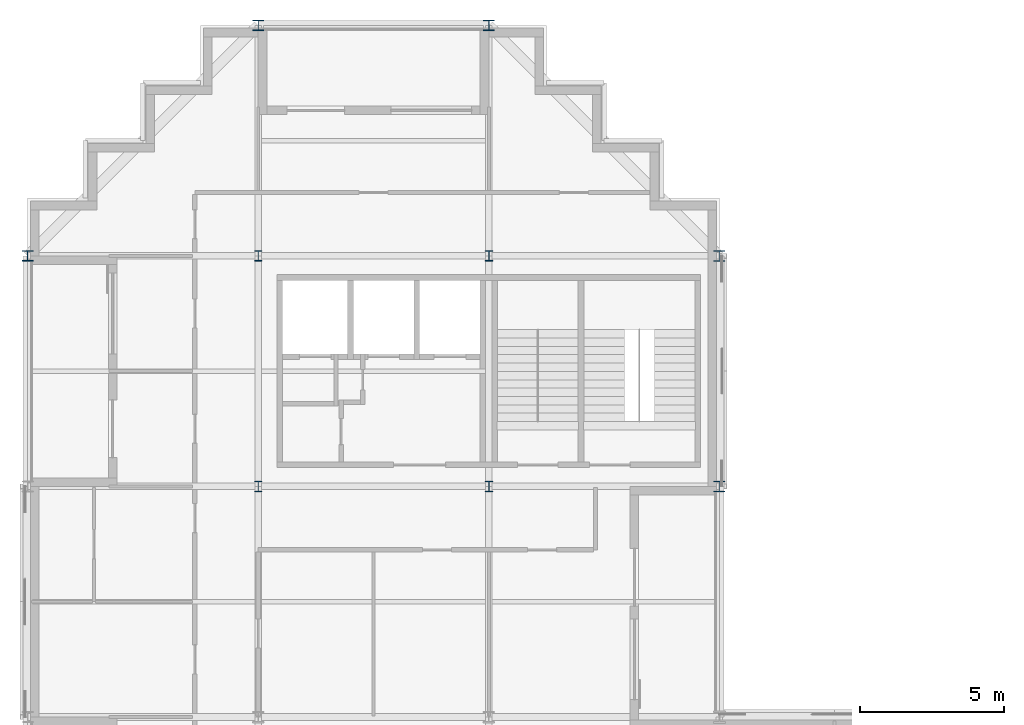
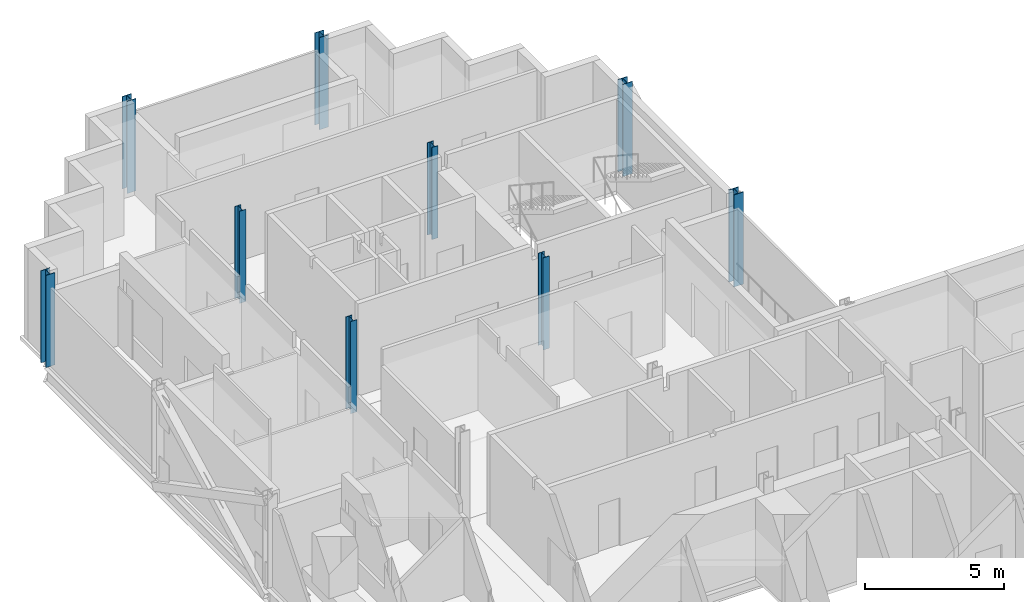
# One storey, part 2 of 13: 9 columns.
"""IFC4 building model written with IfcOpenShell, lengths in metres."""

from ifc_helpers import new_model, si_unit, direction, frame, origin, origin_2d, place, context, subcontext, project, spatial, i_section, extrude, material, material_profile, profile_set, type_object, element, save


model = new_model("IFC4")

# Units and contexts
model_context = context("Model", 3, precision=1e-05, world=origin(), true_north=direction((0.0, 1.0)))
body_context = subcontext(model_context, "Body", "Model", "MODEL_VIEW")
ifc_project = project(units=[si_unit("LENGTHUNIT", "METRE"), si_unit("AREAUNIT", "SQUARE_METRE"), si_unit("VOLUMEUNIT", "CUBIC_METRE"), si_unit("PLANEANGLEUNIT", "RADIAN"), si_unit("MASSUNIT", "GRAM", prefix="KILO")], contexts=[model_context])

# Site, building, storey
site_placement = place(None, origin())
site = spatial("IfcSite", under=ifc_project, at=site_placement, CompositionType="ELEMENT")
building_placement = place(site_placement, origin())
building = spatial("IfcBuilding", under=site, at=building_placement, Name="Immortelle Media Tower", CompositionType="ELEMENT")
storey_placement = place(building_placement, frame((0.0, 0.0, 170.39990234375)))
storey = spatial("IfcBuildingStorey", under=building, at=storey_placement, Name="L35", CompositionType="ELEMENT", Elevation=170.39990234375)

# Columns
ifc_material = material(Name="Steel ASTM A992 Gr 50", Category="steel")
ifc_material_profile_1 = material_profile(ifc_material, i_section(OverallWidth=0.373046875, OverallDepth=0.367919921875, WebThickness=0.014892578125, FlangeThickness=0.02392578125, at=origin_2d()), Name="W14x120")
ifc_profile_set_1 = profile_set([ifc_material_profile_1], Name="Steel ASTM A992 Gr 50")
column_type_1 = type_object("IfcColumnType", Name="W14x120 column", PredefinedType="COLUMN", material=ifc_profile_set_1)
for number, where, z_axis, x_axis, name in (
    (1, (0.0, 40.0, 0.0), (0.0, 0.0, 1.0), (1.0, 0.0, 0.0), "Column 1/F"),
    (2, (8.0, 48.0, 0.0), (0.0, 0.0, 1.0), (1.0, 0.0, 0.0), "Column 2/G"),
    (3, (16.0, 48.0, 0.0), (0.0, 0.0, 1.0), (1.0, 0.0, 0.0), "Column 3/G"),
):
    element("IfcColumn", number, at=place(storey_placement, frame(where, z_axis=z_axis, x_axis=x_axis)), inside=storey, type_object=column_type_1, Name=name, PredefinedType="COLUMN", context=body_context, shape_type="SweptSolid", body=[
        extrude(i_section(OverallWidth=0.373046875, OverallDepth=0.367919921875, WebThickness=0.014892578125, FlangeThickness=0.02392578125, at=origin_2d()), origin(), (0.0, 0.0, 1.0), 4.050048828125),
    ])
ifc_material_profile_2 = material_profile(ifc_material, i_section(OverallWidth=0.39892578125, OverallDepth=0.385986328125, WebThickness=0.02099609375, FlangeThickness=0.032958984375, at=origin_2d()), Name="W14x176")
ifc_profile_set_2 = profile_set([ifc_material_profile_2], Name="Steel ASTM A992 Gr 50")
column_type_2 = type_object("IfcColumnType", Name="W14x176 column", PredefinedType="COLUMN", material=ifc_profile_set_2)
for number, where, z_axis, x_axis, name in (
    (4, (24.0, 32.0, 0.0), (0.0, 0.0, 1.0), (1.0, 0.0, 0.0), "Column 4/E"),
    (5, (24.0, 40.0, 0.0), (0.0, 0.0, 1.0), (1.0, 0.0, 0.0), "Column 4/F"),
):
    element("IfcColumn", number, at=place(storey_placement, frame(where, z_axis=z_axis, x_axis=x_axis)), inside=storey, type_object=column_type_2, Name=name, PredefinedType="COLUMN", context=body_context, shape_type="SweptSolid", body=[
        extrude(i_section(OverallWidth=0.39892578125, OverallDepth=0.385986328125, WebThickness=0.02099609375, FlangeThickness=0.032958984375, at=origin_2d()), origin(), (0.0, 0.0, 1.0), 4.050048828125),
    ])
ifc_material_profile_3 = material_profile(ifc_material, i_section(OverallWidth=0.257080078125, OverallDepth=0.363037109375, WebThickness=0.012939453125, FlangeThickness=0.02197265625, at=origin_2d()), Name="W14x82")
ifc_profile_set_3 = profile_set([ifc_material_profile_3], Name="Steel ASTM A992 Gr 50")
column_type_3 = type_object("IfcColumnType", Name="W14x82 column", PredefinedType="COLUMN", material=ifc_profile_set_3)
for number, where, z_axis, x_axis, name in (
    (6, (8.0, 32.0, 0.0), (0.0, 0.0, 1.0), (1.0, 0.0, 0.0), "Column 2/E"),
    (7, (8.0, 40.0, 0.0), (0.0, 0.0, 1.0), (1.0, 0.0, 0.0), "Column 2/F"),
    (8, (16.0, 32.0, 0.0), (0.0, 0.0, 1.0), (1.0, 0.0, 0.0), "Column 3/E"),
    (9, (16.0, 40.0, 0.0), (0.0, 0.0, 1.0), (1.0, 0.0, 0.0), "Column 3/F"),
):
    element("IfcColumn", number, at=place(storey_placement, frame(where, z_axis=z_axis, x_axis=x_axis)), inside=storey, type_object=column_type_3, Name=name, PredefinedType="COLUMN", context=body_context, shape_type="SweptSolid", body=[
        extrude(i_section(OverallWidth=0.257080078125, OverallDepth=0.363037109375, WebThickness=0.012939453125, FlangeThickness=0.02197265625, at=origin_2d()), origin(), (0.0, 0.0, 1.0), 4.050048828125),
    ])

save(model, "model.ifc")
